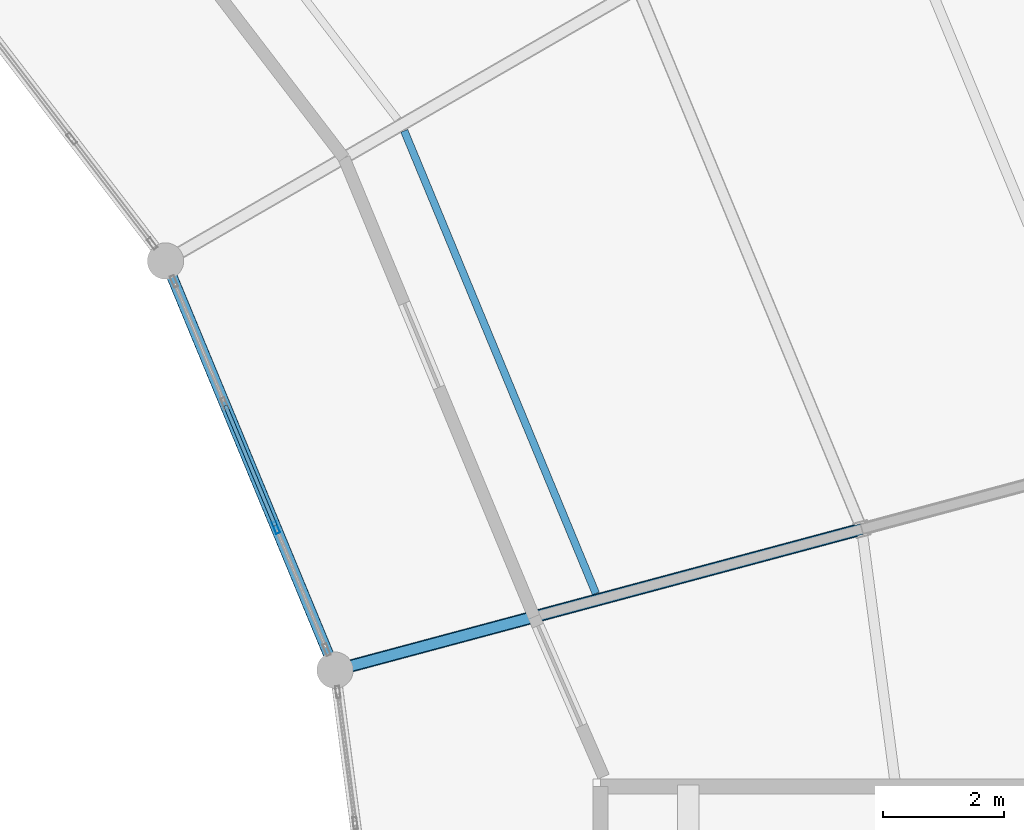
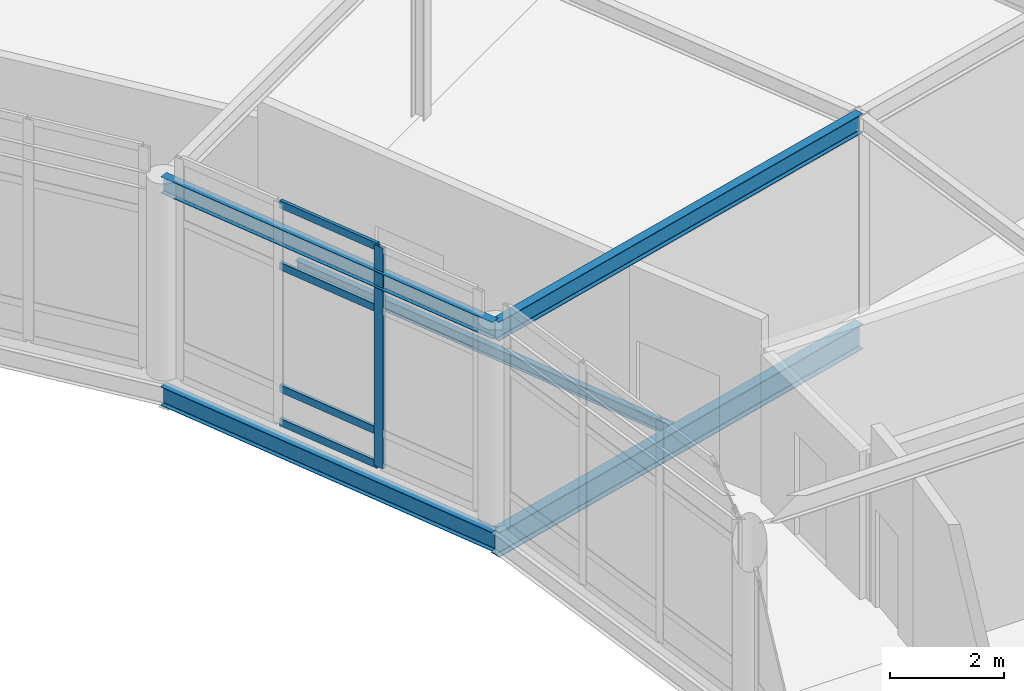
# One storey, part 121 of 185: 5 beams, 5 members, 1 element without a shape of its own.
"""IFC4 building model written with IfcOpenShell, lengths in metres."""

from ifc_helpers import new_model, si_unit, direction, frame, origin, origin_2d, place, context, subcontext, project, spatial, hollow_rectangle, i_section, extrude, material, material_profile, profile_set, type_object, element, aggregate, save


model = new_model("IFC4")

# Units and contexts
model_context = context("Model", 3, precision=1e-05, world=origin(), true_north=direction((0.0, 1.0)))
body_context = subcontext(model_context, "Body", "Model", "MODEL_VIEW")
ifc_project = project(units=[si_unit("LENGTHUNIT", "METRE"), si_unit("AREAUNIT", "SQUARE_METRE"), si_unit("VOLUMEUNIT", "CUBIC_METRE"), si_unit("PLANEANGLEUNIT", "RADIAN"), si_unit("MASSUNIT", "GRAM", prefix="KILO")], contexts=[model_context])

# Site, building, storey
site_placement = place(None, origin())
site = spatial("IfcSite", under=ifc_project, at=site_placement, CompositionType="ELEMENT")
building_placement = place(site_placement, origin())
building = spatial("IfcBuilding", under=site, at=building_placement, Name="Vondelvale Polytechnic", CompositionType="ELEMENT")
storey_placement = place(building_placement, frame((0.0, 0.0, 9.60009765625)))
storey = spatial("IfcBuildingStorey", under=building, at=storey_placement, Name="L02", CompositionType="ELEMENT", Elevation=9.60009765625)

# Beams
ifc_material_1 = material(Name="Steel 300PLUS (fy = 300 MPa)", Category="steel")
ifc_material_profile_1 = material_profile(ifc_material_1, i_section(OverallWidth=0.1708984375, OverallDepth=0.35205078125, WebThickness=0.0068359375, FlangeThickness=0.009765625, FilletRadius=0.011474609375, at=origin_2d()), Name="360UB44.7")
ifc_profile_set_1 = profile_set([ifc_material_profile_1], Name="Steel 300PLUS (fy = 300 MPa)")
beam_type_1 = type_object("IfcBeamType", Name="BM-UB360L", PredefinedType="BEAM", material=ifc_profile_set_1)
beam_1_placement = place(storey_placement, frame((129.0458984375, 79.246826171875, 4.02392578125), z_axis=(-0.382667428841, 0.923886161226, 0.0), x_axis=(-0.923886161226, -0.382667428841, 0.0)))
element("IfcBeam", 1, at=beam_1_placement, inside=storey, type_object=beam_type_1, Name="L02 RE B-24", PredefinedType="BEAM", context=body_context, shape_type="SweptSolid", body=[
    extrude(i_section(OverallWidth=0.1708984375, OverallDepth=0.35205078125, WebThickness=0.0068359375, FlangeThickness=0.009765625, FilletRadius=0.011474609375, at=origin_2d()), origin(), (0.0, 0.0, 1.0), 7.3095703125),
])
ifc_material_profile_2 = material_profile(ifc_material_1, i_section(OverallWidth=0.177978515625, OverallDepth=0.403076171875, WebThickness=0.007568359375, FlangeThickness=0.010986328125, FilletRadius=0.011474609375, at=origin_2d()), Name="410UB53.7")
ifc_profile_set_2 = profile_set([ifc_material_profile_2], Name="Steel 300PLUS (fy = 300 MPa)")
beam_type_2 = type_object("IfcBeamType", Name="BM-UB410L", PredefinedType="BEAM", material=ifc_profile_set_2)
beam_2_placement = place(storey_placement, frame((129.0458984375, 79.246826171875, -0.481689453125), z_axis=(-0.382667428841, 0.923886161226, 0.0), x_axis=(-0.923886161226, -0.382667428841, 0.0)))
element("IfcBeam", 2, at=beam_2_placement, inside=storey, type_object=beam_type_2, Name="L02 RB B-23", PredefinedType="BEAM", context=body_context, shape_type="SweptSolid", body=[
    extrude(i_section(OverallWidth=0.177978515625, OverallDepth=0.403076171875, WebThickness=0.007568359375, FlangeThickness=0.010986328125, FilletRadius=0.011474609375, at=origin_2d()), origin(), (0.0, 0.0, 1.0), 7.3095703125),
])
beam_3_placement = place(storey_placement, frame((129.0458984375, 79.246826171875, 3.998291015625), z_axis=(0.965919958881, 0.258840941576, 0.0), x_axis=(-0.258840941576, 0.965919958881, 0.0)))
element("IfcBeam", 3, at=beam_3_placement, inside=storey, type_object=beam_type_2, Name="L02 REG B-23", PredefinedType="BEAM", context=body_context, shape_type="SweptSolid", body=[
    extrude(i_section(OverallWidth=0.177978515625, OverallDepth=0.403076171875, WebThickness=0.007568359375, FlangeThickness=0.010986328125, FilletRadius=0.011474609375, at=origin_2d()), origin(), (0.0, 0.0, 1.0), 9.0),
])
ifc_material_profile_3 = material_profile(ifc_material_1, i_section(OverallWidth=0.208984375, OverallDepth=0.528076171875, WebThickness=0.009521484375, FlangeThickness=0.01318359375, FilletRadius=0.013916015625, at=origin_2d()), Name="530UB82.0")
ifc_profile_set_3 = profile_set([ifc_material_profile_3], Name="Steel 300PLUS (fy = 300 MPa)")
beam_type_3 = type_object("IfcBeamType", Name="BM-UB530L", PredefinedType="BEAM", material=ifc_profile_set_3)
beam_4_placement = place(storey_placement, frame((129.0458984375, 79.246826171875, -0.544189453125), z_axis=(0.965919958881, 0.258840941576, 0.0), x_axis=(-0.258840941576, 0.965919958881, 0.0)))
element("IfcBeam", 4, at=beam_4_placement, inside=storey, type_object=beam_type_3, Name="L02 RG B-21", PredefinedType="BEAM", context=body_context, shape_type="SweptSolid", body=[
    extrude(i_section(OverallWidth=0.208984375, OverallDepth=0.528076171875, WebThickness=0.009521484375, FlangeThickness=0.01318359375, FilletRadius=0.013916015625, at=origin_2d()), origin(), (0.0, 0.0, 1.0), 9.0),
])

# Curtain wall, members
ifc_material_2 = material(Name="Anodised extruded aluminium 6063-T6", Category="aluminium")
curtain_wall_type = type_object("IfcCurtainWallType", Name="CW-RING-CLOISTER", PredefinedType="NOTDEFINED", material=ifc_material_2)
curtain_wall_placement = place(storey_placement, origin())
curtain_wall = element("IfcCurtainWall", 5, at=curtain_wall_placement, inside=storey, type_object=curtain_wall_type, Name="L02 architectural curtain wall CW-03-081", PredefinedType="NOTDEFINED")
ifc_material_profile_4 = material_profile(ifc_material_2, hollow_rectangle(XDim=0.070068359375, YDim=0.199951171875, WallThickness=0.00390625, at=origin_2d()), Name="CW-MUL-200x70")
ifc_profile_set_4 = profile_set([ifc_material_profile_4], Name="Anodised extruded aluminium 6063-T6")
member_type_1 = type_object("IfcMemberType", Name="CW-MUL-70x200", PredefinedType="MULLION", material=ifc_profile_set_4)
member_1_placement = place(storey_placement, frame((128.0712890625, 81.599609375, 0.0), z_axis=(0.0, 0.0, 1.0), x_axis=(-0.923881562419, -0.382678531697, 0.0)))
member_1 = element("IfcMember", 6, at=member_1_placement, type_object=member_type_1, Name="CW-03-081 mullion 2", PredefinedType="MULLION", context=body_context, shape_type="SweptSolid", body=[
    extrude(hollow_rectangle(XDim=0.070068359375, YDim=0.199951171875, WallThickness=0.00390625, at=origin_2d()), origin(), (0.0, 0.0, 1.0), 4.713134765625),
])
ifc_material_profile_5 = material_profile(ifc_material_2, hollow_rectangle(XDim=0.06494140625, YDim=0.159912109375, WallThickness=0.00341796875, at=origin_2d()), Name="CW-TRN-160x65")
ifc_profile_set_5 = profile_set([ifc_material_profile_5], Name="Anodised extruded aluminium 6063-T6")
member_type_2 = type_object("IfcMemberType", Name="CW-TRN-70x160", PredefinedType="USERDEFINED", material=ifc_profile_set_5)
member_2_placement = place(storey_placement, frame((128.05810546875, 81.6318359375, 0.032470703125), z_axis=(-0.382716752649, 0.923865730094, 0.0), x_axis=(-0.923865730094, -0.382716752649, 0.0)))
member_2 = element("IfcMember", 7, at=member_2_placement, type_object=member_type_2, Name="CW-03-081 transom 2.1", ObjectType="TRANSOM", PredefinedType="USERDEFINED", context=body_context, shape_type="SweptSolid", body=[
    extrude(hollow_rectangle(XDim=0.06494140625, YDim=0.159912109375, WallThickness=0.00341796875, at=origin_2d()), origin(), (0.0, 0.0, 1.0), 2.146484375),
])
member_3_placement = place(storey_placement, frame((128.05810546875, 81.6318359375, 0.75), z_axis=(-0.382716752649, 0.923865730094, 0.0), x_axis=(-0.923865730094, -0.382716752649, 0.0)))
member_3 = element("IfcMember", 8, at=member_3_placement, type_object=member_type_2, Name="CW-03-081 transom 2.2", ObjectType="TRANSOM", PredefinedType="USERDEFINED", context=body_context, shape_type="SweptSolid", body=[
    extrude(hollow_rectangle(XDim=0.06494140625, YDim=0.159912109375, WallThickness=0.00341796875, at=origin_2d()), origin(), (0.0, 0.0, 1.0), 2.146484375),
])
member_4_placement = place(storey_placement, frame((128.05810546875, 81.6318359375, 3.363037109375), z_axis=(-0.382716752649, 0.923865730094, 0.0), x_axis=(-0.923865730094, -0.382716752649, 0.0)))
member_4 = element("IfcMember", 9, at=member_4_placement, type_object=member_type_2, Name="CW-03-081 transom 2.3", ObjectType="TRANSOM", PredefinedType="USERDEFINED", context=body_context, shape_type="SweptSolid", body=[
    extrude(hollow_rectangle(XDim=0.06494140625, YDim=0.159912109375, WallThickness=0.00341796875, at=origin_2d()), origin(), (0.0, 0.0, 1.0), 2.146484375),
])
member_5_placement = place(storey_placement, frame((128.05810546875, 81.6318359375, 4.6806640625), z_axis=(-0.382716752649, 0.923865730094, 0.0), x_axis=(-0.923865730094, -0.382716752649, 0.0)))
member_5 = element("IfcMember", 10, at=member_5_placement, type_object=member_type_2, Name="CW-03-081 transom 2.4", ObjectType="TRANSOM", PredefinedType="USERDEFINED", context=body_context, shape_type="SweptSolid", body=[
    extrude(hollow_rectangle(XDim=0.06494140625, YDim=0.159912109375, WallThickness=0.00341796875, at=origin_2d()), origin(), (0.0, 0.0, 1.0), 2.146484375),
])
aggregate(curtain_wall, [member_1, member_2, member_3, member_4, member_5])

# Beam
ifc_material_profile_6 = material_profile(ifc_material_1, i_section(OverallWidth=0.1240234375, OverallDepth=0.248046875, WebThickness=0.0048828125, FlangeThickness=0.008056640625, FilletRadius=0.0087890625, at=origin_2d()), Name="250UB25.7")
ifc_profile_set_6 = profile_set([ifc_material_profile_6], Name="Steel 300PLUS (fy = 300 MPa)")
beam_type_4 = type_object("IfcBeamType", Name="JST-UB250L", PredefinedType="JOIST", material=ifc_profile_set_6)
beam_5_placement = place(storey_placement, frame((133.3505859375, 80.51318359375, -0.404052734375), z_axis=(-0.38268053388, 0.923880733098, 0.0), x_axis=(-0.923880733098, -0.38268053388, 0.0)))
element("IfcBeam", 11, at=beam_5_placement, inside=storey, type_object=beam_type_4, Name="L02 RJ J-08", PredefinedType="JOIST", context=body_context, shape_type="SweptSolid", body=[
    extrude(i_section(OverallWidth=0.1240234375, OverallDepth=0.248046875, WebThickness=0.0048828125, FlangeThickness=0.008056640625, FilletRadius=0.0087890625, at=origin_2d()), origin(), (0.0, 0.0, 1.0), 8.264404296875),
])

save(model, "model.ifc")
